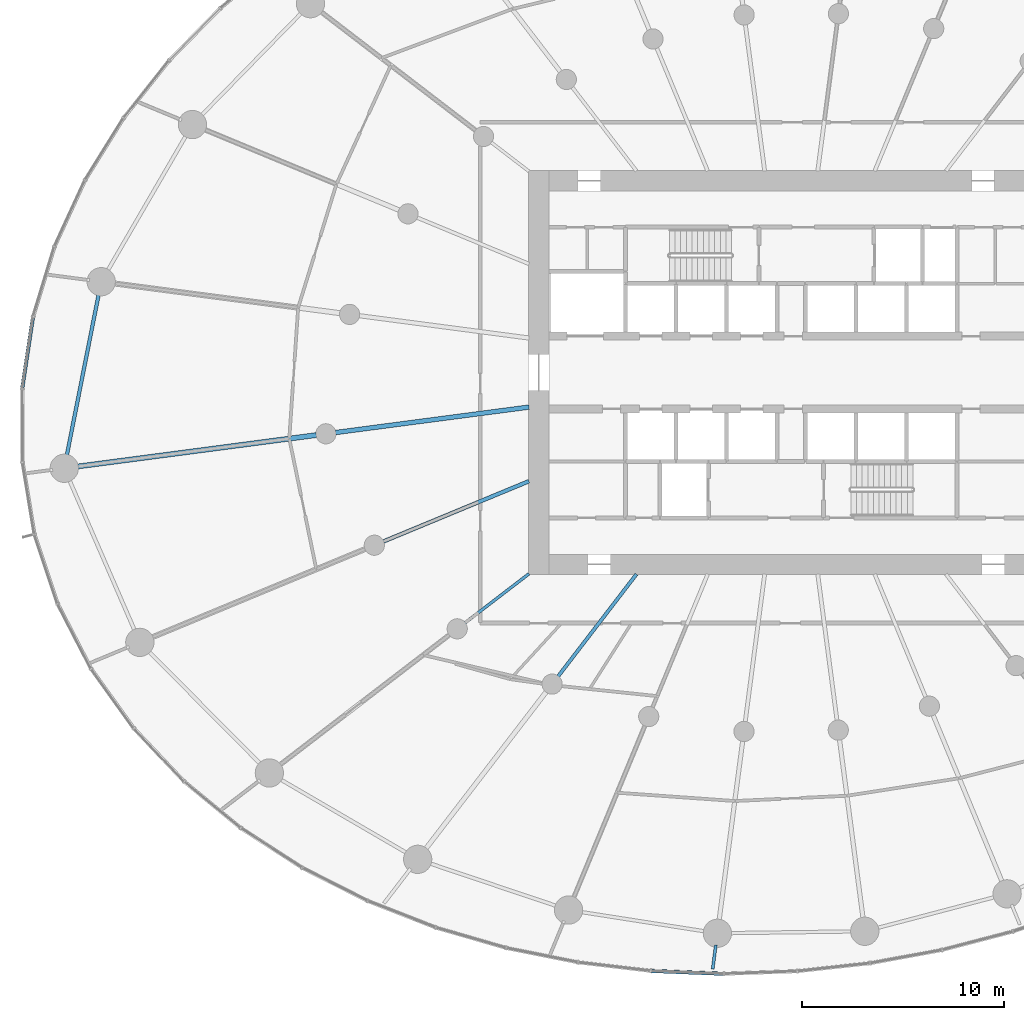
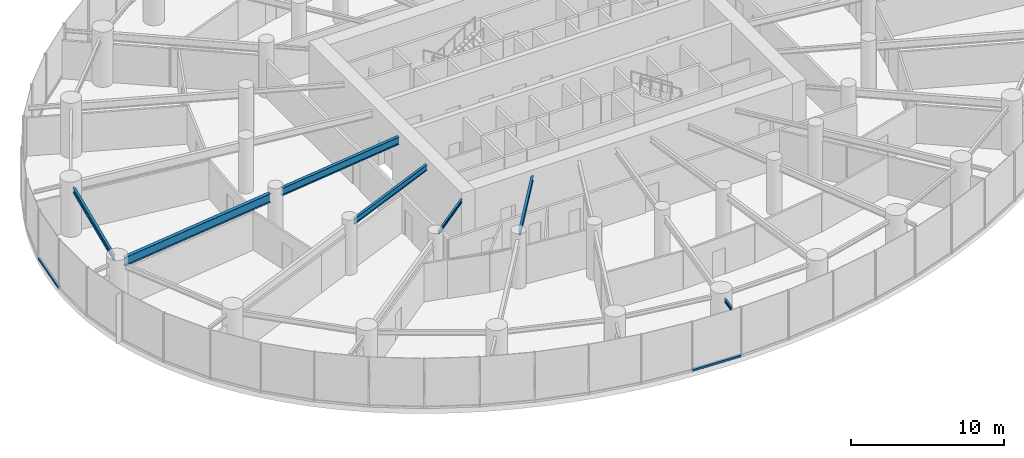
# One storey, part 3 of 19: 7 beams, 2 members, 2 elements without a shape of their own.
"""IFC4 building model written with IfcOpenShell, lengths in metres."""

from ifc_helpers import new_model, si_unit, direction, frame, origin, origin_2d, place, context, subcontext, project, spatial, rectangle, i_section, extrude, source, transform, mapped, material, layer, layer_set, material_profile, profile_set, type_object, element, aggregate, save


model = new_model("IFC4")

# Units and contexts
model_context = context("Model", 3, precision=1e-05, world=origin(), true_north=direction((0.0, 1.0)))
body_context = subcontext(model_context, "Body", "Model", "MODEL_VIEW")
ifc_project = project(units=[si_unit("LENGTHUNIT", "METRE"), si_unit("AREAUNIT", "SQUARE_METRE"), si_unit("VOLUMEUNIT", "CUBIC_METRE"), si_unit("PLANEANGLEUNIT", "RADIAN"), si_unit("MASSUNIT", "GRAM", prefix="KILO")], contexts=[model_context])

# Site, building, storey
site_placement = place(None, origin())
site = spatial("IfcSite", under=ifc_project, at=site_placement, CompositionType="ELEMENT")
building_placement = place(site_placement, origin())
building = spatial("IfcBuilding", under=site, at=building_placement, Name="Spindrift Exchange Tower", CompositionType="ELEMENT")
storey_placement = place(building_placement, frame((0.0, 0.0, 49.0)))
storey = spatial("IfcBuildingStorey", under=building, at=storey_placement, Name="L11", CompositionType="ELEMENT", Elevation=49.0)

# Beams
ifc_material_1 = material(Name="Steel Grade 300", Category="steel")
ifc_material_profile_1 = material_profile(ifc_material_1, i_section(OverallWidth=0.22802734375, OverallDepth=0.60693359375, WebThickness=0.01123046875, FlangeThickness=0.017333984375, FilletRadius=0.013916015625, at=origin_2d()), Name="610UB113")
ifc_profile_set_1 = profile_set([ifc_material_profile_1], Name="Steel Grade 300")
beam_type_1 = type_object("IfcBeamType", Name="Floor Beam 610UB113 Steel Grade 300", PredefinedType="BEAM", material=ifc_profile_set_1)
shared_shape_1 = source(origin(), body_context, "Body", "SweptSolid", [
    extrude(i_section(OverallWidth=0.22802734375, OverallDepth=0.60693359375, WebThickness=0.01123046875, FlangeThickness=0.017333984375, FilletRadius=0.013916015625, at=origin_2d()), origin(), (0.0, 0.0, 1.0), 9.660400390625),
])
beam_1_placement = place(storey_placement, frame((39.019775390625, 46.291015625, 3.646484375), z_axis=(-0.99144767089, -0.130504850054, 0.0), x_axis=(0.130504850054, -0.99144767089, 0.0)))
element("IfcBeam", 1, at=beam_1_placement, inside=storey, type_object=beam_type_1, Name="L11 radial beam R13A", PredefinedType="BEAM", context=body_context, shape_type="MappedRepresentation", body=[
    mapped(shared_shape_1, transform((0.0, 0.0, 0.0), scale=1.0)),
])
ifc_material_profile_2 = material_profile(ifc_material_1, i_section(OverallWidth=0.25, OverallDepth=0.699951171875, WebThickness=0.008056640625, FlangeThickness=0.011962890625, at=origin_2d()), Name="700WB115")
ifc_profile_set_2 = profile_set([ifc_material_profile_2], Name="Steel Grade 300")
beam_type_2 = type_object("IfcBeamType", Name="Floor Beam 700WB115 Steel Grade 300", PredefinedType="BEAM", material=ifc_profile_set_2)
shared_shape_2 = source(origin(), body_context, "Body", "SweptSolid", [
    extrude(i_section(OverallWidth=0.25, OverallDepth=0.699951171875, WebThickness=0.008056640625, FlangeThickness=0.011962890625, at=origin_2d()), origin(), (0.0, 0.0, 1.0), 12.00830078125),
])
beam_2_placement = place(storey_placement, frame((28.490234375, 44.90478515625, 3.60009765625), z_axis=(-0.991444950947, -0.130525511844, 0.0), x_axis=(0.130525511844, -0.991444950947, 0.0)))
element("IfcBeam", 2, at=beam_2_placement, inside=storey, type_object=beam_type_2, Name="L11 radial beam R13B", PredefinedType="BEAM", context=body_context, shape_type="MappedRepresentation", body=[
    mapped(shared_shape_2, transform((0.0, 0.0, 0.0), scale=1.0)),
])
ifc_material_profile_3 = material_profile(ifc_material_1, i_section(OverallWidth=0.18994140625, OverallDepth=0.45703125, WebThickness=0.009033203125, FlangeThickness=0.014404296875, FilletRadius=0.013916015625, at=origin_2d()), Name="460UB74.6")
ifc_profile_set_3 = profile_set([ifc_material_profile_3], Name="Steel Grade 300")
beam_type_3 = type_object("IfcBeamType", Name="Floor Beam 460UB74.6 Steel Grade 300", PredefinedType="BEAM", material=ifc_profile_set_3)
shared_shape_3 = source(origin(), body_context, "Body", "SweptSolid", [
    extrude(i_section(OverallWidth=0.18994140625, OverallDepth=0.45703125, WebThickness=0.009033203125, FlangeThickness=0.014404296875, FilletRadius=0.013916015625, at=origin_2d()), origin(), (0.0, 0.0, 1.0), 7.808837890625),
])
beam_3_placement = place(storey_placement, frame((39.0185546875, 42.622802734375, 3.721435546875), z_axis=(-0.92387965154, -0.382683145003, 0.0), x_axis=(0.382683145003, -0.92387965154, 0.0)))
element("IfcBeam", 3, at=beam_3_placement, inside=storey, type_object=beam_type_3, Name="L11 radial beam R14A", PredefinedType="BEAM", context=body_context, shape_type="MappedRepresentation", body=[
    mapped(shared_shape_3, transform((0.0, 0.0, 0.0), scale=1.0)),
])
ifc_material_profile_4 = material_profile(ifc_material_1, i_section(OverallWidth=0.14599609375, OverallDepth=0.251953125, WebThickness=0.006103515625, FlangeThickness=0.008544921875, FilletRadius=0.011962890625, at=origin_2d()), Name="250UB31.4")
ifc_profile_set_4 = profile_set([ifc_material_profile_4], Name="Steel Grade 300")
beam_type_4 = type_object("IfcBeamType", Name="Floor Beam 250UB31.4 Steel Grade 300", PredefinedType="BEAM", material=ifc_profile_set_4)
shared_shape_4 = source(origin(), body_context, "Body", "SweptSolid", [
    extrude(i_section(OverallWidth=0.14599609375, OverallDepth=0.251953125, WebThickness=0.006103515625, FlangeThickness=0.008544921875, FilletRadius=0.011962890625, at=origin_2d()), origin(), (0.0, 0.0, 1.0), 3.99560546875),
])
beam_4_placement = place(storey_placement, frame((39.015869140625, 38.036865234375, 3.823974609375), z_axis=(-0.793352561574, -0.608762443851, 0.0), x_axis=(0.608762443851, -0.793352561574, 0.0)))
element("IfcBeam", 4, at=beam_4_placement, inside=storey, type_object=beam_type_4, Name="L11 radial beam R15A", PredefinedType="BEAM", context=body_context, shape_type="MappedRepresentation", body=[
    mapped(shared_shape_4, transform((0.0, 0.0, 0.0), scale=1.0)),
])
ifc_material_profile_5 = material_profile(ifc_material_1, i_section(OverallWidth=0.172119140625, OverallDepth=0.35888671875, WebThickness=0.008056640625, FlangeThickness=0.012939453125, FilletRadius=0.013916015625, at=origin_2d()), Name="360UB56.7")
ifc_profile_set_5 = profile_set([ifc_material_profile_5], Name="Steel Grade 300")
beam_type_5 = type_object("IfcBeamType", Name="Floor Beam 360UB56.7 Steel Grade 300", PredefinedType="BEAM", material=ifc_profile_set_5)
shared_shape_5 = source(origin(), body_context, "Body", "SweptSolid", [
    extrude(i_section(OverallWidth=0.172119140625, OverallDepth=0.35888671875, WebThickness=0.008056640625, FlangeThickness=0.012939453125, FilletRadius=0.013916015625, at=origin_2d()), origin(), (0.0, 0.0, 1.0), 6.37646484375),
])
beam_5_placement = place(storey_placement, frame((44.3388671875, 38.015869140625, 3.7705078125), z_axis=(-0.608766669952, -0.793349318747, 0.0), x_axis=(0.793349318747, -0.608766669952, 0.0)))
element("IfcBeam", 5, at=beam_5_placement, inside=storey, type_object=beam_type_5, Name="L11 radial beam R16A", PredefinedType="BEAM", context=body_context, shape_type="MappedRepresentation", body=[
    mapped(shared_shape_5, transform((0.0, 0.0, 0.0), scale=1.0)),
])
ifc_material_profile_6 = material_profile(ifc_material_1, i_section(OverallWidth=0.177978515625, OverallDepth=0.406005859375, WebThickness=0.0078125, FlangeThickness=0.0126953125, FilletRadius=0.013916015625, at=origin_2d()), Name="410UB59.7")
ifc_profile_set_6 = profile_set([ifc_material_profile_6], Name="Steel Grade 300")
beam_type_6 = type_object("IfcBeamType", Name="Edge Beam 410UB59.7 Steel Grade 300", PredefinedType="SPANDREL", material=ifc_profile_set_6)
shared_shape_6 = source(origin(), body_context, "Body", "SweptSolid", [
    extrude(i_section(OverallWidth=0.177978515625, OverallDepth=0.406005859375, WebThickness=0.0078125, FlangeThickness=0.0126953125, FilletRadius=0.013916015625, at=origin_2d()), origin(), (0.0, 0.0, 1.0), 8.2548828125),
])
beam_6_placement = place(storey_placement, frame((17.72607421875, 51.928466796875, 3.7470703125), z_axis=(-0.194278723288, -0.9809463684, 0.0), x_axis=(0.9809463684, -0.194278723288, 0.0)))
element("IfcBeam", 6, at=beam_6_placement, inside=storey, type_object=beam_type_6, Name="L11 edge beam E12", PredefinedType="SPANDREL", context=body_context, shape_type="MappedRepresentation", body=[
    mapped(shared_shape_6, transform((0.0, 0.0, 0.0), scale=1.0)),
])
ifc_material_profile_7 = material_profile(ifc_material_1, i_section(OverallWidth=0.14599609375, OverallDepth=0.251953125, WebThickness=0.006103515625, FlangeThickness=0.008544921875, FilletRadius=0.011962890625, at=origin_2d()), Name="250UB31.4")
ifc_profile_set_7 = profile_set([ifc_material_profile_7], Name="Steel Grade 300")
beam_type_7 = type_object("IfcBeamType", Name="Cantilever Beam 250UB31.4 Steel Grade 300", PredefinedType="BEAM", material=ifc_profile_set_7)
shared_shape_7 = source(origin(), body_context, "Body", "SweptSolid", [
    extrude(i_section(OverallWidth=0.14599609375, OverallDepth=0.251953125, WebThickness=0.006103515625, FlangeThickness=0.008544921875, FilletRadius=0.011962890625, at=origin_2d()), origin(), (0.0, 0.0, 1.0), 1.208740234375),
])
beam_7_placement = place(storey_placement, frame((48.269287109375, 19.66357421875, 3.823974609375), z_axis=(-0.130271649793, -0.991478339279, 0.0), x_axis=(0.991478339279, -0.130271649793, 0.0)))
element("IfcBeam", 7, at=beam_7_placement, inside=storey, type_object=beam_type_7, Name="L11 cantilever beam R18T", PredefinedType="BEAM", context=body_context, shape_type="MappedRepresentation", body=[
    mapped(shared_shape_7, transform((0.0, 0.0, 0.0), scale=1.0)),
])

# Curtain wall, member
ifc_material_2 = material(Name="Fritted laminated glass with bronze frame", Category="glass")
ifc_layer = layer(ifc_material_2, 0.199951171875)
ifc_layer_set = layer_set([ifc_layer], Name="ZONE 1 BRONZE FRITTED WALL")
curtain_wall_type = type_object("IfcCurtainWallType", Name="ZONE 1 BRONZE FRITTED WALL", PredefinedType="NOTDEFINED", material=ifc_layer_set)
curtain_wall_1_placement = place(storey_placement, origin())
curtain_wall_1 = element("IfcCurtainWall", 8, at=curtain_wall_1_placement, inside=storey, type_object=curtain_wall_type, Name="L11 Zone 1 Bronze Fritted Wall run 7", PredefinedType="NOTDEFINED")
ifc_material_3 = material(Name="Bronze anodised aluminium", Category="aluminium")
ifc_material_profile_8 = material_profile(ifc_material_3, rectangle(XDim=0.179931640625, YDim=0.14990234375, at=origin_2d()), Name="ZONE 1 BRONZE FRITTED WALL TRANSOM 180X150")
ifc_profile_set_8 = profile_set([ifc_material_profile_8], Name="Bronze anodised aluminium")
member_type = type_object("IfcMemberType", Name="ZONE 1 BRONZE FRITTED WALL TRANSOM 180X150", PredefinedType="USERDEFINED", material=ifc_profile_set_8)
shared_shape_8 = source(origin(), body_context, "Body", "SweptSolid", [
    extrude(rectangle(XDim=0.179931640625, YDim=0.14990234375, at=origin_2d()), origin(), (0.0, 0.0, 1.0), 3.54736328125),
])
member_1_placement = place(storey_placement, frame((45.087646484375, 18.3740234375, 0.074951171875), z_axis=(0.999213987804, -0.039640970933, 0.0), x_axis=(0.039640970933, 0.999213987804, 0.0)))
member_1 = element("IfcMember", 9, at=member_1_placement, type_object=member_type, Name="L11 transom CW-1.42", ObjectType="TRANSOM", PredefinedType="USERDEFINED", context=body_context, shape_type="MappedRepresentation", body=[
    mapped(shared_shape_8, transform((0.0, 0.0, 0.0), scale=1.0)),
])
aggregate(curtain_wall_1, [member_1])

curtain_wall_2_placement = place(storey_placement, origin())
curtain_wall_2 = element("IfcCurtainWall", 10, at=curtain_wall_2_placement, inside=storey, type_object=curtain_wall_type, Name="L11 Zone 1 Bronze Fritted Wall run 5", PredefinedType="NOTDEFINED")
shared_shape_9 = source(origin(), body_context, "Body", "SweptSolid", [
    extrude(rectangle(XDim=0.179931640625, YDim=0.14990234375, at=origin_2d()), origin(), (0.0, 0.0, 1.0), 3.544677734375),
])
member_2_placement = place(storey_placement, frame((14.45556640625, 50.7294921875, 0.074951171875), z_axis=(-0.149111659052, -0.988820364442, 0.0), x_axis=(0.988820364442, -0.149111659052, 0.0)))
member_2 = element("IfcMember", 11, at=member_2_placement, type_object=member_type, Name="L11 transom CW-1.28", ObjectType="TRANSOM", PredefinedType="USERDEFINED", context=body_context, shape_type="MappedRepresentation", body=[
    mapped(shared_shape_9, transform((0.0, 0.0, 0.0), scale=1.0)),
])
aggregate(curtain_wall_2, [member_2])

save(model, "model.ifc")
